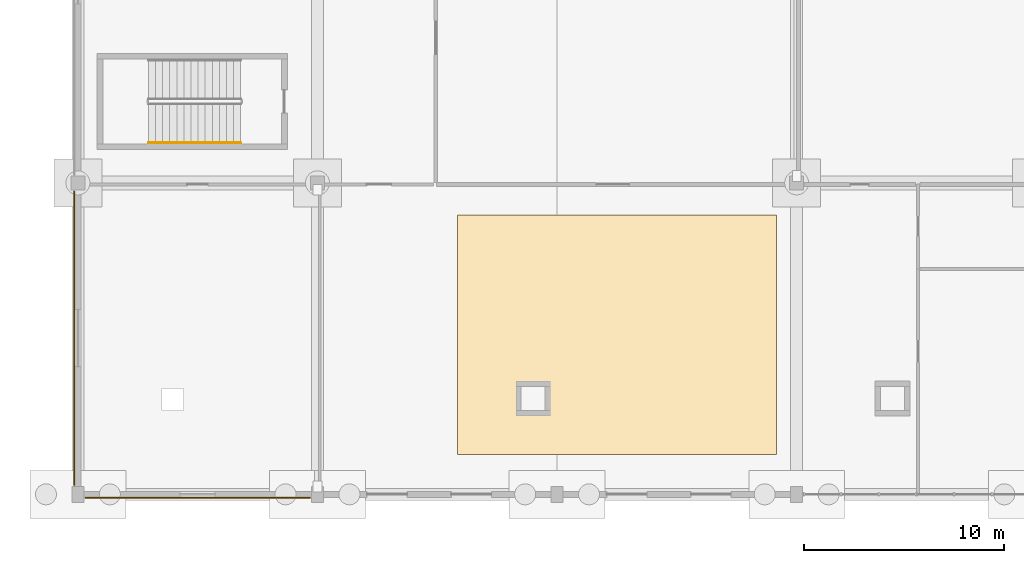
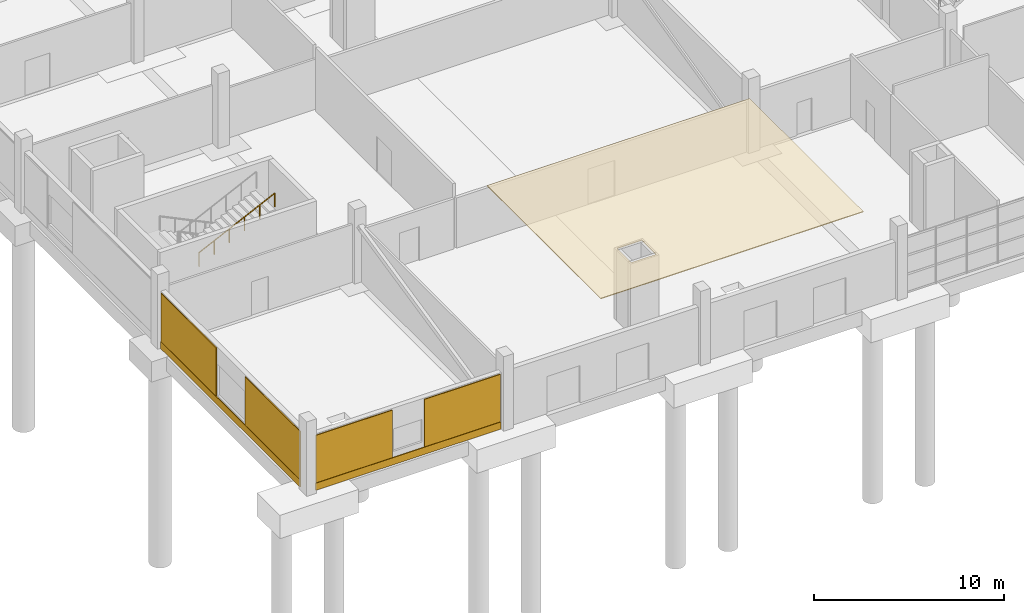
# One storey, part 68 of 82: 7 coverings, 1 railing.
"""IFC4 building model written with IfcOpenShell, lengths in metres."""

from ifc_helpers import new_model, si_unit, direction, frame, origin, origin_2d, place, context, subcontext, project, spatial, polyline, rectangle, circle, outline, extrude, material, layer, layer_set, type_object, element, save


model = new_model("IFC4")

# Units and contexts
model_context = context("Model", 3, precision=1e-05, world=origin(), true_north=direction((0.0, 1.0)))
body_context = subcontext(model_context, "Body", "Model", "MODEL_VIEW")
ifc_project = project(units=[si_unit("LENGTHUNIT", "METRE"), si_unit("AREAUNIT", "SQUARE_METRE"), si_unit("VOLUMEUNIT", "CUBIC_METRE"), si_unit("PLANEANGLEUNIT", "RADIAN"), si_unit("MASSUNIT", "GRAM", prefix="KILO")], contexts=[model_context])

# Site, building, storey
site_placement = place(None, origin())
site = spatial("IfcSite", under=ifc_project, at=site_placement, CompositionType="ELEMENT")
building_placement = place(site_placement, origin())
building = spatial("IfcBuilding", under=site, at=building_placement, Name="Kelmvaro Bay Concert Hall", CompositionType="ELEMENT")
storey_placement = place(building_placement, origin())
storey = spatial("IfcBuildingStorey", under=building, at=storey_placement, Name="L00", CompositionType="ELEMENT", Elevation=0.0)

# Coverings
ifc_material_1 = material(Name="Honed Florida Limestone Travertine", Category="masonry")
ifc_layer_1 = layer(ifc_material_1, 0.054931640625)
ifc_layer_set_1 = layer_set([ifc_layer_1], Name="Honed Florida Limestone Travertine")
covering_type_1 = type_object("IfcCoveringType", Name="Honed Florida Travertine Rainscreen Cladding 55", PredefinedType="CLADDING", material=ifc_layer_set_1)
covering_1_placement = place(storey_placement, frame((6.0, -0.175537109375, 0.0400390625), z_axis=(0.0, 0.0, 1.0), x_axis=(-1.0, 0.0, 0.0)))
element("IfcCovering", 1, at=covering_1_placement, inside=storey, type_object=covering_type_1, Name="L00 Travertine Sill Band 0517", PredefinedType="CLADDING", context=body_context, shape_type="SweptSolid", body=[
    extrude(rectangle(XDim=11.280029296875, YDim=0.054931640625, at=origin_2d()), origin(), (0.0, 0.0, 1.0), 0.4599609375),
])
for number, where, z_axis, x_axis, name in (
    (2, (9.297607421875, -0.175537109375, 0.52001953125), (0.0, 0.0, 1.0), (-1.0, 0.0, 0.0), "L00 Travertine Pier Panel 0518"),
    (3, (2.702392578125, -0.175537109375, 0.52001953125), (0.0, 0.0, 1.0), (-1.0, 0.0, 0.0), "L00 Travertine Pier Panel 0519"),
):
    element("IfcCovering", number, at=place(storey_placement, frame(where, z_axis=z_axis, x_axis=x_axis)), inside=storey, type_object=covering_type_1, Name=name, PredefinedType="CLADDING", context=body_context, shape_type="SweptSolid", body=[
        extrude(rectangle(XDim=4.64501953125, YDim=0.054931640625, at=origin_2d()), origin(), (0.0, 0.0, 1.0), 3.06005859375),
    ])
covering_2_placement = place(storey_placement, frame((-0.175537109375, 7.824951171875, 0.0400390625), z_axis=(0.0, 0.0, 1.0), x_axis=(0.0, 1.0, 0.0)))
element("IfcCovering", 4, at=covering_2_placement, inside=storey, type_object=covering_type_1, Name="L00 Travertine Sill Band 0520", PredefinedType="CLADDING", context=body_context, shape_type="SweptSolid", body=[
    extrude(rectangle(XDim=14.72998046875, YDim=0.054931640625, at=origin_2d()), origin(), (0.0, 0.0, 1.0), 0.4599609375),
])
for number, where, z_axis, x_axis, name in (
    (5, (-0.175537109375, 3.389892578125, 0.52001953125), (0.0, 0.0, 1.0), (0.0, 1.0, 0.0), "L00 Travertine Pier Panel 0521"),
    (6, (-0.175537109375, 12.260009765625, 0.52001953125), (0.0, 0.0, 1.0), (0.0, 1.0, 0.0), "L00 Travertine Pier Panel 0522"),
):
    element("IfcCovering", number, at=place(storey_placement, frame(where, z_axis=z_axis, x_axis=x_axis)), inside=storey, type_object=covering_type_1, Name=name, PredefinedType="CLADDING", context=body_context, shape_type="SweptSolid", body=[
        extrude(rectangle(XDim=5.820068359375, YDim=0.054931640625, at=origin_2d()), origin(), (0.0, 0.0, 1.0), 3.10400390625),
    ])
ifc_material_2 = material(Name="Micro-Perforated Acoustic Gypsum Board")
ifc_layer_2 = layer(ifc_material_2, 0.050048828125)
ifc_layer_set_2 = layer_set([ifc_layer_2], Name="Micro-Perforated Acoustic Gypsum Board")
covering_type_2 = type_object("IfcCoveringType", Name="Perforated Gypsum Foyer Acoustic Ceiling 50", PredefinedType="CEILING", material=ifc_layer_set_2)
covering_3_placement = place(storey_placement, frame((0.0, 0.0, 4.5)))
element("IfcCovering", 7, at=covering_3_placement, inside=storey, type_object=covering_type_2, Name="L00 Acoustic Ceiling 04", PredefinedType="CEILING", context=body_context, shape_type="SweptSolid", body=[
    extrude(outline(polyline([(19.0, 2.0), (19.0, 14.0), (35.0, 14.0), (35.0, 2.0), (19.0, 2.0)]), holes=[polyline([(23.550048828125, 5.550048828125), (22.050048828125, 5.550048828125), (22.050048828125, 4.050048828125), (23.550048828125, 4.050048828125), (23.550048828125, 5.550048828125)])]), origin(), (0.0, 0.0, 1.0), 0.050048828125),
])

# Railing
ifc_material_3 = material(Name="Brushed Stainless Steel 316", Category="steel")
railing_type = type_object("IfcRailingType", Name="Stair Stainless Wall Handrail 900", PredefinedType="HANDRAIL", material=ifc_material_3)
railing_placement = place(storey_placement, frame((3.534912109375, 17.60009765625, 2.571533203125)))
element("IfcRailing", 8, at=railing_placement, inside=storey, type_object=railing_type, Name="L00 ST-08 stair handrail 2", PredefinedType="HANDRAIL", context=body_context, shape_type="SweptSolid", body=[
    extrude(circle(Radius=0.02392578125, at=origin_2d()), frame((0.0, 0.0, 0.8759765625), z_axis=(0.900506611743, 0.0, 0.434842318785), x_axis=(0.0, 1.0, 0.0)), (0.0, 0.0, 1.0), 5.125),
    extrude(circle(Radius=0.02099609375, at=origin_2d()), origin(), (0.0, 0.0, 1.0), 0.851806640625),
    extrude(circle(Radius=0.02099609375, at=origin_2d()), frame((0.923095703125, 0.0, 0.44580078125)), (0.0, 0.0, 1.0), 0.851806640625),
    extrude(circle(Radius=0.02099609375, at=origin_2d()), frame((1.845947265625, 0.0, 0.891357421875)), (0.0, 0.0, 1.0), 0.851806640625),
    extrude(circle(Radius=0.02099609375, at=origin_2d()), frame((2.76904296875, 0.0, 1.337158203125)), (0.0, 0.0, 1.0), 0.851806640625),
    extrude(circle(Radius=0.02099609375, at=origin_2d()), frame((3.69189453125, 0.0, 1.78271484375)), (0.0, 0.0, 1.0), 0.851806640625),
    extrude(circle(Radius=0.02099609375, at=origin_2d()), frame((4.614990234375, 0.0, 2.228515625)), (0.0, 0.0, 1.0), 0.851806640625),
])

save(model, "model.ifc")
